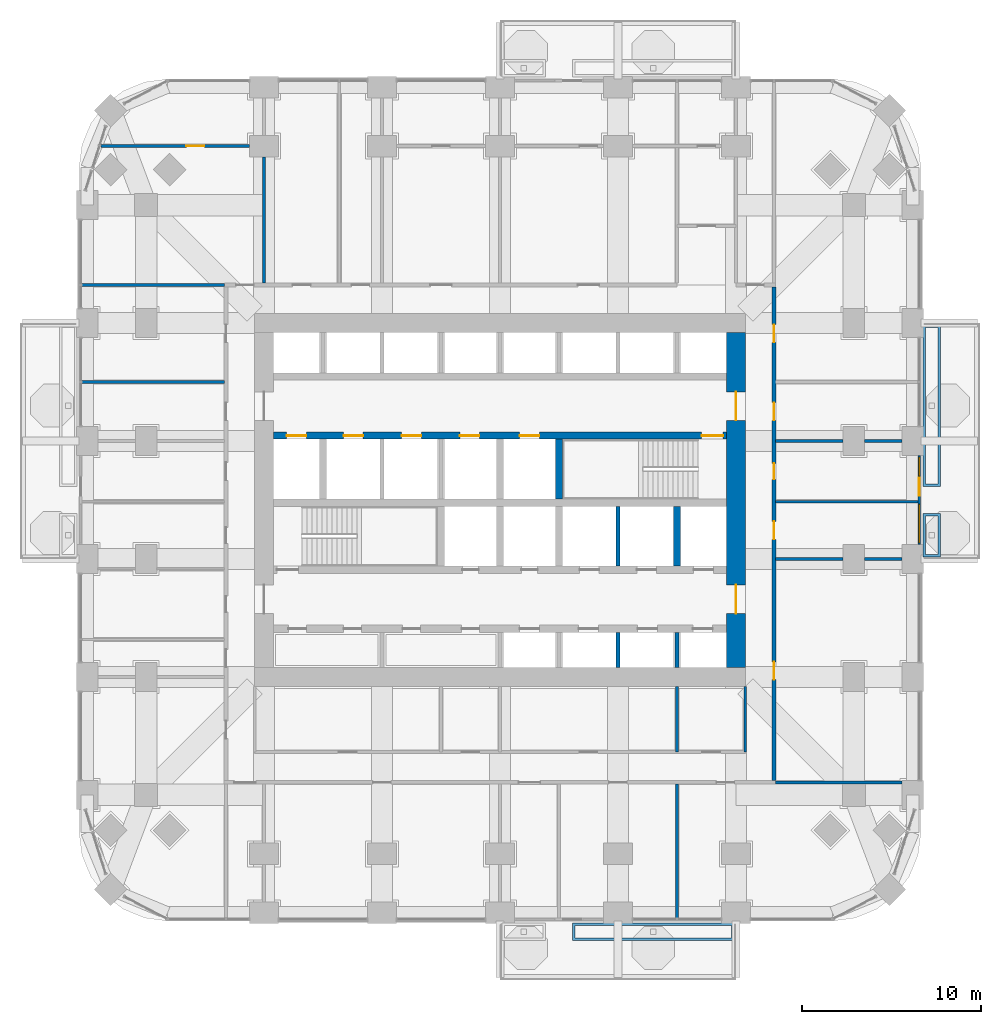
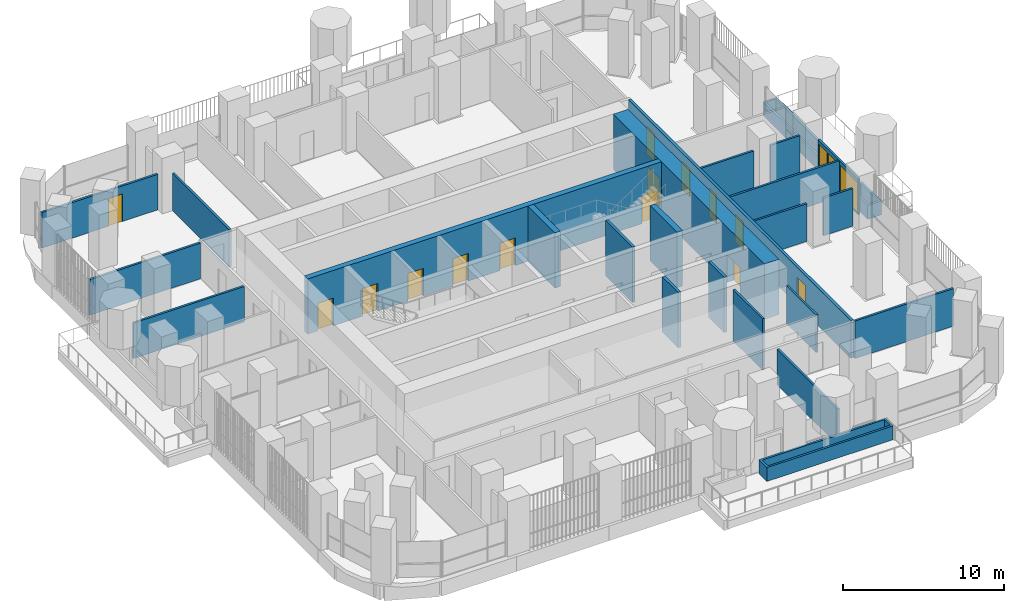
# One storey, part 16 of 23: 25 walls, 15 doors, 2 windows, 17 openings.
"""IFC4 building model written with IfcOpenShell, lengths in metres."""

from ifc_helpers import new_model, si_unit, direction, frame, frame_2d, origin, place, context, subcontext, project, spatial, polyline, rectangle, outline, extrude, material, layer, layer_set, type_object, element, fill, save


model = new_model("IFC4")

# Units and contexts
model_context = context("Model", 3, precision=1e-05, world=origin(), true_north=direction((0.0, 1.0)))
body_context = subcontext(model_context, "Body", "Model", "MODEL_VIEW")
ifc_project = project(units=[si_unit("LENGTHUNIT", "METRE"), si_unit("AREAUNIT", "SQUARE_METRE"), si_unit("VOLUMEUNIT", "CUBIC_METRE"), si_unit("PLANEANGLEUNIT", "RADIAN"), si_unit("MASSUNIT", "GRAM", prefix="KILO")], contexts=[model_context])

# Site, building, storey
site_placement = place(None, origin())
site = spatial("IfcSite", under=ifc_project, at=site_placement, CompositionType="ELEMENT")
building_placement = place(site_placement, origin())
building = spatial("IfcBuilding", under=site, at=building_placement, Name="Cobogo Forest Laboratory Tower", CompositionType="ELEMENT")
storey_placement = place(building_placement, frame((0.0, 0.0, 103.199951171875)))
storey = spatial("IfcBuildingStorey", under=building, at=storey_placement, Name="L23", CompositionType="ELEMENT", Elevation=103.199951171875)

# Wall, openings, doors
ifc_material_1 = material(Name="Concrete HA-50 (C50/60)", Category="concrete")
ifc_layer_1 = layer(ifc_material_1, 0.39990234375)
ifc_layer_set_1 = layer_set([ifc_layer_1], Name="CI400 core inner wall 400")
wall_type_1 = type_object("IfcWallType", Name="CI400 core inner wall 400", PredefinedType="SHEAR", material=ifc_layer_set_1)
wall_1_placement = place(storey_placement, frame((13.72509765625, 26.699951171875, 0.0), z_axis=(0.0, 0.0, 1.0), x_axis=(1.0, 0.0, 0.0)))
wall_1 = element("IfcWall", 1, at=wall_1_placement, inside=storey, type_object=wall_type_1, Name="Core wall CI-26.7 L23", PredefinedType="SHEAR", context=body_context, shape_type="SweptSolid", body=[
    extrude(rectangle(XDim=25.349853515625, YDim=0.39990234375, at=frame_2d((12.6748046875, 0.0))), origin(), (0.0, 0.0, 1.0), 4.199951171875),
])
opening_1_placement = place(wall_1_placement, frame((23.949951171875, 0.0, 0.0)))
opening_1 = element("IfcOpeningElement", 2, at=opening_1_placement, cuts=wall_1, Name="Opening L23-D30", PredefinedType="OPENING", context=body_context, shape_type="SweptSolid", body=[
    extrude(rectangle(XDim=1.199951171875, YDim=2.10009765625, at=frame_2d((0.60009765625, 1.050048828125))), frame((0.0, 0.2099609375, 0.0), z_axis=(0.0, -1.0, 0.0), x_axis=(1.0, 0.0, 0.0)), (0.0, 0.0, 1.0), 0.419921875),
])
opening_2_placement = place(wall_1_placement, frame((0.737548828125, 0.0, 0.0)))
opening_2 = element("IfcOpeningElement", 3, at=opening_2_placement, cuts=wall_1, Name="Opening L23-LD-FL1", PredefinedType="OPENING", context=body_context, shape_type="SweptSolid", body=[
    extrude(rectangle(XDim=1.10009765625, YDim=2.10009765625, at=frame_2d((0.550048828125, 1.050048828125))), frame((0.0, 0.2099609375, 0.0), z_axis=(0.0, -1.0, 0.0), x_axis=(1.0, 0.0, 0.0)), (0.0, 0.0, 1.0), 0.419921875),
])
opening_3_placement = place(wall_1_placement, frame((3.925048828125, 0.0, 0.0)))
opening_3 = element("IfcOpeningElement", 4, at=opening_3_placement, cuts=wall_1, Name="Opening L23-LD-LS3", PredefinedType="OPENING", context=body_context, shape_type="SweptSolid", body=[
    extrude(rectangle(XDim=1.10009765625, YDim=2.10009765625, at=frame_2d((0.550048828125, 1.050048828125))), frame((0.0, 0.2099609375, 0.0), z_axis=(0.0, -1.0, 0.0), x_axis=(1.0, 0.0, 0.0)), (0.0, 0.0, 1.0), 0.419921875),
])
opening_4_placement = place(wall_1_placement, frame((7.175048828125, 0.0, 0.0)))
opening_4 = element("IfcOpeningElement", 5, at=opening_4_placement, cuts=wall_1, Name="Opening L23-LD-LS4", PredefinedType="OPENING", context=body_context, shape_type="SweptSolid", body=[
    extrude(rectangle(XDim=1.10009765625, YDim=2.10009765625, at=frame_2d((0.550048828125, 1.050048828125))), frame((0.0, 0.2099609375, 0.0), z_axis=(0.0, -1.0, 0.0), x_axis=(1.0, 0.0, 0.0)), (0.0, 0.0, 1.0), 0.419921875),
])
opening_5_placement = place(wall_1_placement, frame((10.425048828125, 0.0, 0.0)))
opening_5 = element("IfcOpeningElement", 6, at=opening_5_placement, cuts=wall_1, Name="Opening L23-LD-LS5", PredefinedType="OPENING", context=body_context, shape_type="SweptSolid", body=[
    extrude(rectangle(XDim=1.10009765625, YDim=2.10009765625, at=frame_2d((0.550048828125, 1.050048828125))), frame((0.0, 0.2099609375, 0.0), z_axis=(0.0, -1.0, 0.0), x_axis=(1.0, 0.0, 0.0)), (0.0, 0.0, 1.0), 0.419921875),
])
opening_6_placement = place(wall_1_placement, frame((13.77490234375, 0.0, 0.0)))
opening_6 = element("IfcOpeningElement", 7, at=opening_6_placement, cuts=wall_1, Name="Opening L23-LD-LS6", PredefinedType="OPENING", context=body_context, shape_type="SweptSolid", body=[
    extrude(rectangle(XDim=1.10009765625, YDim=2.10009765625, at=frame_2d((0.550048828125, 1.050048828125))), frame((0.0, 0.2099609375, 0.0), z_axis=(0.0, -1.0, 0.0), x_axis=(1.0, 0.0, 0.0)), (0.0, 0.0, 1.0), 0.419921875),
])
ifc_material_2 = material(Name="Steel fire door", Category="steel")
door_type_1 = type_object("IfcDoorType", Name="DS1 protected stair door 1200 EI2 60", OperationType="SINGLE_SWING_LEFT", PredefinedType="DOOR", material=ifc_material_2)
door_1_placement = place(opening_1_placement, origin())
door_1 = element("IfcDoor", 8, at=door_1_placement, inside=storey, type_object=door_type_1, Name="Door L23-ST2", OperationType="SINGLE_SWING_RIGHT", OverallHeight=2.10009765625, OverallWidth=1.199951171875, PredefinedType="DOOR", context=body_context, shape_type="SweptSolid", body=[
    extrude(rectangle(XDim=1.199951171875, YDim=2.10009765625, at=frame_2d((0.60009765625, 1.050048828125))), frame((0.0, 0.02490234375, 0.0), z_axis=(0.0, -1.0, 0.0), x_axis=(1.0, 0.0, 0.0)), (0.0, 0.0, 1.0), 0.050048828125),
])
fill(opening_1, door_1)
ifc_material_3 = material(Name="Stainless steel lift door", Category="steel")
door_type_2 = type_object("IfcDoorType", Name="LD lift landing door 1100", OperationType="DOUBLE_DOOR_SLIDING", PredefinedType="DOOR", material=ifc_material_3)
door_2_placement = place(opening_2_placement, origin())
door_2 = element("IfcDoor", 9, at=door_2_placement, inside=storey, type_object=door_type_2, Name="Lift landing door FL1 L23", OperationType="DOUBLE_DOOR_SLIDING", OverallHeight=2.10009765625, OverallWidth=1.10009765625, PredefinedType="DOOR", context=body_context, shape_type="SweptSolid", body=[
    extrude(rectangle(XDim=1.10009765625, YDim=2.10009765625, at=frame_2d((0.550048828125, 1.050048828125))), frame((0.0, 0.02490234375, 0.0), z_axis=(0.0, -1.0, 0.0), x_axis=(1.0, 0.0, 0.0)), (0.0, 0.0, 1.0), 0.050048828125),
])
fill(opening_2, door_2)
door_3_placement = place(opening_3_placement, origin())
door_3 = element("IfcDoor", 10, at=door_3_placement, inside=storey, type_object=door_type_2, Name="Lift landing door LS3 L23", OperationType="DOUBLE_DOOR_SLIDING", OverallHeight=2.10009765625, OverallWidth=1.10009765625, PredefinedType="DOOR", context=body_context, shape_type="SweptSolid", body=[
    extrude(rectangle(XDim=1.10009765625, YDim=2.10009765625, at=frame_2d((0.550048828125, 1.050048828125))), frame((0.0, 0.02490234375, 0.0), z_axis=(0.0, -1.0, 0.0), x_axis=(1.0, 0.0, 0.0)), (0.0, 0.0, 1.0), 0.050048828125),
])
fill(opening_3, door_3)
door_4_placement = place(opening_4_placement, origin())
door_4 = element("IfcDoor", 11, at=door_4_placement, inside=storey, type_object=door_type_2, Name="Lift landing door LS4 L23", OperationType="DOUBLE_DOOR_SLIDING", OverallHeight=2.10009765625, OverallWidth=1.10009765625, PredefinedType="DOOR", context=body_context, shape_type="SweptSolid", body=[
    extrude(rectangle(XDim=1.10009765625, YDim=2.10009765625, at=frame_2d((0.550048828125, 1.050048828125))), frame((0.0, 0.02490234375, 0.0), z_axis=(0.0, -1.0, 0.0), x_axis=(1.0, 0.0, 0.0)), (0.0, 0.0, 1.0), 0.050048828125),
])
fill(opening_4, door_4)
door_5_placement = place(opening_5_placement, origin())
door_5 = element("IfcDoor", 12, at=door_5_placement, inside=storey, type_object=door_type_2, Name="Lift landing door LS5 L23", OperationType="DOUBLE_DOOR_SLIDING", OverallHeight=2.10009765625, OverallWidth=1.10009765625, PredefinedType="DOOR", context=body_context, shape_type="SweptSolid", body=[
    extrude(rectangle(XDim=1.10009765625, YDim=2.10009765625, at=frame_2d((0.550048828125, 1.050048828125))), frame((0.0, 0.02490234375, 0.0), z_axis=(0.0, -1.0, 0.0), x_axis=(1.0, 0.0, 0.0)), (0.0, 0.0, 1.0), 0.050048828125),
])
fill(opening_5, door_5)
door_6_placement = place(opening_6_placement, origin())
door_6 = element("IfcDoor", 13, at=door_6_placement, inside=storey, type_object=door_type_2, Name="Lift landing door LS6 L23", OperationType="DOUBLE_DOOR_SLIDING", OverallHeight=2.10009765625, OverallWidth=1.10009765625, PredefinedType="DOOR", context=body_context, shape_type="SweptSolid", body=[
    extrude(rectangle(XDim=1.10009765625, YDim=2.10009765625, at=frame_2d((0.550048828125, 1.050048828125))), frame((0.0, 0.02490234375, 0.0), z_axis=(0.0, -1.0, 0.0), x_axis=(1.0, 0.0, 0.0)), (0.0, 0.0, 1.0), 0.050048828125),
])
fill(opening_6, door_6)

# Walls
for number, where, z_axis, x_axis, name in (
    (14, (36.300048828125, 19.39990234375, 0.0), (0.0, 0.0, 1.0), (0.0, 1.0, 0.0), "Core wall CX-36.3 L23"),
    (15, (29.699951171875, 23.14990234375, 0.0), (0.0, 0.0, 1.0), (0.0, 1.0, 0.0), "Core wall CX-29.7N L23"),
):
    element("IfcWall", number, at=place(storey_placement, frame(where, z_axis=z_axis, x_axis=x_axis)), inside=storey, type_object=wall_type_1, Name=name, PredefinedType="SHEAR", context=body_context, shape_type="SweptSolid", body=[
        extrude(rectangle(XDim=3.35009765625, YDim=0.39990234375, at=frame_2d((1.675048828125, 0.0))), origin(), (0.0, 0.0, 1.0), 4.199951171875),
    ])

# Wall, openings, doors
ifc_layer_2 = layer(ifc_material_1, 1.050048828125)
ifc_layer_set_2 = layer_set([ifc_layer_2], Name="CW1050 core outer wall 1050")
wall_type_2 = type_object("IfcWallType", Name="CW1050 core outer wall 1050", PredefinedType="SHEAR", material=ifc_layer_set_2)
wall_2_placement = place(storey_placement, frame((39.60009765625, 13.72509765625, 0.0), z_axis=(0.0, 0.0, 1.0), x_axis=(0.0, 1.0, 0.0)))
wall_2 = element("IfcWall", 16, at=wall_2_placement, inside=storey, type_object=wall_type_2, Name="Core wall CO-E L23", PredefinedType="SHEAR", context=body_context, shape_type="SweptSolid", body=[
    extrude(rectangle(XDim=18.75, YDim=1.050048828125, at=frame_2d((9.375, 0.0))), origin(), (0.0, 0.0, 1.0), 4.199951171875),
])
opening_7_placement = place(wall_2_placement, frame((3.02490234375, 0.0, 0.0)))
opening_7 = element("IfcOpeningElement", 17, at=opening_7_placement, cuts=wall_2, Name="Opening L23-D20", PredefinedType="OPENING", context=body_context, shape_type="SweptSolid", body=[
    extrude(rectangle(XDim=1.60009765625, YDim=2.10009765625, at=frame_2d((0.800048828125, 1.050048828125))), frame((0.0, 0.534912109375, 0.0), z_axis=(0.0, -1.0, 0.0), x_axis=(1.0, 0.0, 0.0)), (0.0, 0.0, 1.0), 1.070068359375),
])
opening_8_placement = place(wall_2_placement, frame((13.824951171875, 0.0, 0.0)))
opening_8 = element("IfcOpeningElement", 18, at=opening_8_placement, cuts=wall_2, Name="Opening L23-D34", PredefinedType="OPENING", context=body_context, shape_type="SweptSolid", body=[
    extrude(rectangle(XDim=1.60009765625, YDim=2.10009765625, at=frame_2d((0.800048828125, 1.050048828125))), frame((0.0, 0.534912109375, 0.0), z_axis=(0.0, -1.0, 0.0), x_axis=(1.0, 0.0, 0.0)), (0.0, 0.0, 1.0), 1.070068359375),
])
door_type_3 = type_object("IfcDoorType", Name="DS2 protected lobby door pair 1600 EI2 60", OperationType="DOUBLE_DOOR_DOUBLE_SWING", PredefinedType="DOOR", material=ifc_material_2)
door_7_placement = place(opening_7_placement, origin())
door_7 = element("IfcDoor", 19, at=door_7_placement, inside=storey, type_object=door_type_3, Name="Door L23-CO-E-S", OperationType="DOUBLE_DOOR_DOUBLE_SWING", OverallHeight=2.10009765625, OverallWidth=1.60009765625, PredefinedType="DOOR", context=body_context, shape_type="SweptSolid", body=[
    extrude(rectangle(XDim=1.60009765625, YDim=2.10009765625, at=frame_2d((0.800048828125, 1.050048828125))), frame((0.0, 0.02490234375, 0.0), z_axis=(0.0, -1.0, 0.0), x_axis=(1.0, 0.0, 0.0)), (0.0, 0.0, 1.0), 0.050048828125),
])
fill(opening_7, door_7)
door_8_placement = place(opening_8_placement, origin())
door_8 = element("IfcDoor", 20, at=door_8_placement, inside=storey, type_object=door_type_3, Name="Door L23-CO-E-N", OperationType="DOUBLE_DOOR_DOUBLE_SWING", OverallHeight=2.10009765625, OverallWidth=1.60009765625, PredefinedType="DOOR", context=body_context, shape_type="SweptSolid", body=[
    extrude(rectangle(XDim=1.60009765625, YDim=2.10009765625, at=frame_2d((0.800048828125, 1.050048828125))), frame((0.0, 0.02490234375, 0.0), z_axis=(0.0, -1.0, 0.0), x_axis=(1.0, 0.0, 0.0)), (0.0, 0.0, 1.0), 0.050048828125),
])
fill(opening_8, door_8)

# Wall, openings, door, windows
ifc_material_4 = material(Name="Aluminium framed glazed screen", Category="aluminium")
ifc_layer_3 = layer(ifc_material_4, 0.14990234375)
ifc_layer_set_3 = layer_set([ifc_layer_3], Name="GS1 glazed door screen 150")
wall_type_3 = type_object("IfcWallType", Name="GS1 glazed door screen 150", PredefinedType="SOLIDWALL", material=ifc_layer_set_3)
wall_3_placement = place(storey_placement, frame((49.85009765625, 20.60009765625, 0.0), z_axis=(0.0, 0.0, 1.0), x_axis=(0.0, 1.0, 0.0)))
wall_3 = element("IfcWall", 21, at=wall_3_placement, inside=storey, type_object=wall_type_3, Name="Door screen BAL-E1 L23", PredefinedType="SOLIDWALL", context=body_context, shape_type="SweptSolid", body=[
    extrude(rectangle(XDim=5.0, YDim=0.14990234375, at=frame_2d((2.5, 0.0))), origin(), (0.0, 0.0, 1.0), 2.699951171875),
])
opening_9_placement = place(wall_3_placement, frame((2.75, 0.0, 0.0)))
opening_9 = element("IfcOpeningElement", 22, at=opening_9_placement, cuts=wall_3, Name="Opening L23-D27", PredefinedType="OPENING", context=body_context, shape_type="SweptSolid", body=[
    extrude(rectangle(XDim=1.0, YDim=2.39990234375, at=frame_2d((0.5, 1.199951171875))), frame((0.0, 0.0849609375, 0.0), z_axis=(0.0, -1.0, 0.0), x_axis=(1.0, 0.0, 0.0)), (0.0, 0.0, 1.0), 0.169921875),
])
opening_10_placement = place(wall_3_placement, frame((0.10009765625, 0.0, 0.10009765625)))
opening_10 = element("IfcOpeningElement", 23, at=opening_10_placement, cuts=wall_3, Name="Opening L23-W04", PredefinedType="OPENING", context=body_context, shape_type="SweptSolid", body=[
    extrude(rectangle(XDim=2.14990234375, YDim=2.300048828125, at=frame_2d((1.074951171875, 1.14990234375))), frame((0.0, 0.0849609375, 0.0), z_axis=(0.0, -1.0, 0.0), x_axis=(1.0, 0.0, 0.0)), (0.0, 0.0, 1.0), 0.169921875),
])
opening_11_placement = place(wall_3_placement, frame((3.85009765625, 0.0, 0.10009765625)))
opening_11 = element("IfcOpeningElement", 24, at=opening_11_placement, cuts=wall_3, Name="Opening L23-W06", PredefinedType="OPENING", context=body_context, shape_type="SweptSolid", body=[
    extrude(rectangle(XDim=1.050048828125, YDim=2.300048828125, at=frame_2d((0.52490234375, 1.14990234375))), frame((0.0, 0.0849609375, 0.0), z_axis=(0.0, -1.0, 0.0), x_axis=(1.0, 0.0, 0.0)), (0.0, 0.0, 1.0), 0.169921875),
])
ifc_material_5 = material(Name="Aluminium glazed door", Category="aluminium")
door_type_4 = type_object("IfcDoorType", Name="DB1 balcony door 1000 glazed", OperationType="SINGLE_SWING_LEFT", PredefinedType="DOOR", material=ifc_material_5)
door_9_placement = place(opening_9_placement, origin())
door_9 = element("IfcDoor", 25, at=door_9_placement, inside=storey, type_object=door_type_4, Name="Door L23-BAL-E1", OperationType="SINGLE_SWING_RIGHT", OverallHeight=2.39990234375, OverallWidth=1.0, PredefinedType="DOOR", context=body_context, shape_type="SweptSolid", body=[
    extrude(rectangle(XDim=1.0, YDim=2.39990234375, at=frame_2d((0.5, 1.199951171875))), frame((0.0, 0.02490234375, 0.0), z_axis=(0.0, -1.0, 0.0), x_axis=(1.0, 0.0, 0.0)), (0.0, 0.0, 1.0), 0.050048828125),
])
fill(opening_9, door_9)
ifc_material_6 = material(Name="Aluminium framed glazing", Category="aluminium")
window_type_1 = type_object("IfcWindowType", Name="WG13 fixed glazed light 2150x2300", PartitioningType="SINGLE_PANEL", PredefinedType="WINDOW", material=ifc_material_6)
window_1_placement = place(opening_10_placement, origin())
window_1 = element("IfcWindow", 26, at=window_1_placement, inside=storey, type_object=window_type_1, Name="Window L23-BAL-E1-1", OverallHeight=2.300048828125, OverallWidth=2.14990234375, PartitioningType="SINGLE_PANEL", PredefinedType="WINDOW", context=body_context, shape_type="SweptSolid", body=[
    extrude(rectangle(XDim=2.14990234375, YDim=2.300048828125, at=frame_2d((1.074951171875, 1.14990234375))), frame((0.0, 0.030029296875, 0.0), z_axis=(0.0, -1.0, 0.0), x_axis=(1.0, 0.0, 0.0)), (0.0, 0.0, 1.0), 0.06005859375),
])
fill(opening_10, window_1)
window_type_2 = type_object("IfcWindowType", Name="WG14 fixed glazed light 1050x2300", PartitioningType="SINGLE_PANEL", PredefinedType="WINDOW", material=ifc_material_6)
window_2_placement = place(opening_11_placement, origin())
window_2 = element("IfcWindow", 27, at=window_2_placement, inside=storey, type_object=window_type_2, Name="Window L23-BAL-E1-2", OverallHeight=2.300048828125, OverallWidth=1.050048828125, PartitioningType="SINGLE_PANEL", PredefinedType="WINDOW", context=body_context, shape_type="SweptSolid", body=[
    extrude(rectangle(XDim=1.050048828125, YDim=2.300048828125, at=frame_2d((0.52490234375, 1.14990234375))), frame((0.0, 0.030029296875, 0.0), z_axis=(0.0, -1.0, 0.0), x_axis=(1.0, 0.0, 0.0)), (0.0, 0.0, 1.0), 0.06005859375),
])
fill(opening_11, window_2)

# Walls
ifc_material_7 = material(Name="Gypsum board on steel studs", Category="steel")
ifc_layer_4 = layer(ifc_material_7, 0.14990234375)
ifc_layer_set_4 = layer_set([ifc_layer_4], Name="PT1 laboratory partition 150")
wall_type_4 = type_object("IfcWallType", Name="PT1 laboratory partition 150", PredefinedType="PARTITIONING", material=ifc_layer_set_4)
wall_4_placement = place(storey_placement, frame((40.125, 12.675048828125, 0.0), z_axis=(0.0, 0.0, 1.0), x_axis=(0.0, -1.0, 0.0)))
element("IfcWall", 28, at=wall_4_placement, inside=storey, type_object=wall_type_4, Name="Partition CSTRIP-SE L23", PredefinedType="PARTITIONING", context=body_context, shape_type="SweptSolid", body=[
    extrude(rectangle(XDim=3.675048828125, YDim=0.14990234375, at=frame_2d((1.83740234375, 0.0))), origin(), (0.0, 0.0, 1.0), 2.85009765625),
])
wall_5_placement = place(storey_placement, frame((36.300048828125, 12.675048828125, 0.0), z_axis=(0.0, 0.0, 1.0), x_axis=(0.0, -1.0, 0.0)))
element("IfcWall", 29, at=wall_5_placement, inside=storey, type_object=wall_type_4, Name="Partition CSTRIP-S36.3 L23", PredefinedType="PARTITIONING", context=body_context, shape_type="SweptSolid", body=[
    extrude(rectangle(XDim=3.675048828125, YDim=0.14990234375, at=frame_2d((1.83740234375, 0.0))), origin(), (0.0, 0.0, 1.0), 3.900146484375),
])
wall_6_placement = place(storey_placement, frame((48.89990234375, 7.300048828125, 0.0), z_axis=(0.0, 0.0, 1.0), x_axis=(-1.0, 0.0, 0.0)))
element("IfcWall", 30, at=wall_6_placement, inside=storey, type_object=wall_type_4, Name="Partition PW-SE L23", PredefinedType="PARTITIONING", context=body_context, shape_type="SweptSolid", body=[
    extrude(rectangle(XDim=7.074951171875, YDim=0.14990234375, at=frame_2d((3.53759765625, 0.0))), origin(), (0.0, 0.0, 1.0), 2.85009765625),
])
wall_7_placement = place(storey_placement, frame((3.030029296875, 35.125, 0.0), z_axis=(0.0, 0.0, 1.0), x_axis=(1.0, 0.0, 0.0)))
element("IfcWall", 31, at=wall_7_placement, inside=storey, type_object=wall_type_4, Name="Partition PW-NW L23", PredefinedType="PARTITIONING", context=body_context, shape_type="SweptSolid", body=[
    extrude(rectangle(XDim=7.945068359375, YDim=0.14990234375, at=frame_2d((3.97265625, 0.0))), origin(), (0.0, 0.0, 1.0), 2.699951171875),
])
wall_8_placement = place(storey_placement, frame((36.300048828125, -0.27001953125, 0.0), z_axis=(0.0, 0.0, 1.0), x_axis=(0.0, 1.0, 0.0)))
element("IfcWall", 32, at=wall_8_placement, inside=storey, type_object=wall_type_4, Name="Partition CUT-S36.3-1 L23", PredefinedType="PARTITIONING", context=body_context, shape_type="SweptSolid", body=[
    extrude(rectangle(XDim=7.469970703125, YDim=0.14990234375, at=frame_2d((3.73486328125, 0.0))), origin(), (0.0, 0.0, 1.0), 2.699951171875),
])
wall_9_placement = place(storey_placement, frame((49.77001953125, 23.0, 0.0), z_axis=(0.0, 0.0, 1.0), x_axis=(-1.0, 0.0, 0.0)))
element("IfcWall", 33, at=wall_9_placement, inside=storey, type_object=wall_type_4, Name="Partition SVC-E1-1 L23", PredefinedType="PARTITIONING", context=body_context, shape_type="SweptSolid", body=[
    extrude(rectangle(XDim=7.945068359375, YDim=0.14990234375, at=frame_2d((3.97265625, 0.0))), origin(), (0.0, 0.0, 1.0), 2.699951171875),
])
wall_10_placement = place(storey_placement, frame((48.89990234375, 26.39990234375, 0.0), z_axis=(0.0, 0.0, 1.0), x_axis=(-1.0, 0.0, 0.0)))
element("IfcWall", 34, at=wall_10_placement, inside=storey, type_object=wall_type_4, Name="Partition SVC-E2-1 L23", PredefinedType="PARTITIONING", context=body_context, shape_type="SweptSolid", body=[
    extrude(rectangle(XDim=2.099853515625, YDim=0.14990234375, at=frame_2d((1.0498046875, 0.0))), origin(), (0.0, 0.0, 1.0), 2.85009765625),
])
wall_11_placement = place(storey_placement, frame((45.60009765625, 26.39990234375, 0.0), z_axis=(0.0, 0.0, 1.0), x_axis=(-1.0, 0.0, 0.0)))
element("IfcWall", 35, at=wall_11_placement, inside=storey, type_object=wall_type_4, Name="Partition SVC-E2-2 L23", PredefinedType="PARTITIONING", context=body_context, shape_type="SweptSolid", body=[
    extrude(rectangle(XDim=3.775146484375, YDim=0.14990234375, at=frame_2d((1.8876953125, 0.0))), origin(), (0.0, 0.0, 1.0), 2.85009765625),
])
wall_12_placement = place(storey_placement, frame((48.89990234375, 19.800048828125, 0.0), z_axis=(0.0, 0.0, 1.0), x_axis=(-1.0, 0.0, 0.0)))
element("IfcWall", 36, at=wall_12_placement, inside=storey, type_object=wall_type_4, Name="Partition CUT-E19.8-1 L23", PredefinedType="PARTITIONING", context=body_context, shape_type="SweptSolid", body=[
    extrude(rectangle(XDim=2.099853515625, YDim=0.14990234375, at=frame_2d((1.0498046875, 0.0))), origin(), (0.0, 0.0, 1.0), 2.85009765625),
])
wall_13_placement = place(storey_placement, frame((45.60009765625, 19.800048828125, 0.0), z_axis=(0.0, 0.0, 1.0), x_axis=(-1.0, 0.0, 0.0)))
element("IfcWall", 37, at=wall_13_placement, inside=storey, type_object=wall_type_4, Name="Partition CUT-E19.8-2 L23", PredefinedType="PARTITIONING", context=body_context, shape_type="SweptSolid", body=[
    extrude(rectangle(XDim=3.775146484375, YDim=0.14990234375, at=frame_2d((1.8876953125, 0.0))), origin(), (0.0, 0.0, 1.0), 2.85009765625),
])

# Wall, opening, door
wall_14_placement = place(storey_placement, frame((12.39990234375, 42.89990234375, 0.0), z_axis=(0.0, 0.0, 1.0), x_axis=(-1.0, 0.0, 0.0)))
wall_14 = element("IfcWall", 38, at=wall_14_placement, inside=storey, type_object=wall_type_4, Name="Partition STRIP-N-4 L23", PredefinedType="PARTITIONING", context=body_context, shape_type="SweptSolid", body=[
    extrude(rectangle(XDim=8.323974609375, YDim=0.14990234375, at=frame_2d((4.162109375, 0.0))), origin(), (0.0, 0.0, 1.0), 2.699951171875),
])
opening_12_placement = place(wall_14_placement, frame((2.5419921875, 0.0, 0.0)))
opening_12 = element("IfcOpeningElement", 39, at=opening_12_placement, cuts=wall_14, Name="Opening L23-D44", PredefinedType="OPENING", context=body_context, shape_type="SweptSolid", body=[
    extrude(rectangle(XDim=1.0, YDim=2.10009765625, at=frame_2d((0.5, 1.050048828125))), frame((0.0, 0.0849609375, 0.0), z_axis=(0.0, -1.0, 0.0), x_axis=(1.0, 0.0, 0.0)), (0.0, 0.0, 1.0), 0.169921875),
])
ifc_material_8 = material(Name="Timber fire door", Category="wood")
door_type_5 = type_object("IfcDoorType", Name="FD2 fire door 1000 EI2 30", OperationType="SINGLE_SWING_LEFT", PredefinedType="DOOR", material=ifc_material_8)
door_10_placement = place(opening_12_placement, origin())
door_10 = element("IfcDoor", 40, at=door_10_placement, inside=storey, type_object=door_type_5, Name="Door L23-N1W", OperationType="SINGLE_SWING_LEFT", OverallHeight=2.10009765625, OverallWidth=1.0, PredefinedType="DOOR", context=body_context, shape_type="SweptSolid", body=[
    extrude(rectangle(XDim=1.0, YDim=2.10009765625, at=frame_2d((0.5, 1.050048828125))), frame((0.0, 0.02490234375, 0.0), z_axis=(0.0, -1.0, 0.0), x_axis=(1.0, 0.0, 0.0)), (0.0, 0.0, 1.0), 0.050048828125),
])
fill(opening_12, door_10)

# Walls
wall_15_placement = place(storey_placement, frame((13.199951171875, 42.300048828125, 0.0), z_axis=(0.0, 0.0, 1.0), x_axis=(0.0, -1.0, 0.0)))
element("IfcWall", 41, at=wall_15_placement, inside=storey, type_object=wall_type_4, Name="Partition CUT-N13.2-2 L23", PredefinedType="PARTITIONING", context=body_context, shape_type="SweptSolid", body=[
    extrude(rectangle(XDim=7.074951171875, YDim=0.14990234375, at=frame_2d((3.53759765625, 0.0))), origin(), (0.0, 0.0, 1.0), 2.85009765625),
])
wall_16_placement = place(storey_placement, frame((3.030029296875, 29.699951171875, 0.0), z_axis=(0.0, 0.0, 1.0), x_axis=(1.0, 0.0, 0.0)))
element("IfcWall", 42, at=wall_16_placement, inside=storey, type_object=wall_type_4, Name="Partition CUT-W29.7-1 L23", PredefinedType="PARTITIONING", context=body_context, shape_type="SweptSolid", body=[
    extrude(rectangle(XDim=7.945068359375, YDim=0.14990234375, at=frame_2d((3.97265625, 0.0))), origin(), (0.0, 0.0, 1.0), 2.699951171875),
])

# Wall, openings, doors
ifc_layer_5 = layer(ifc_material_7, 0.199951171875)
ifc_layer_set_5 = layer_set([ifc_layer_5], Name="PT2 fire-rated corridor partition 200")
wall_type_5 = type_object("IfcWallType", Name="PT2 fire-rated corridor partition 200", PredefinedType="PARTITIONING", material=ifc_layer_set_5)
wall_17_placement = place(storey_placement, frame((41.72509765625, 7.39990234375, 0.0), z_axis=(0.0, 0.0, 1.0), x_axis=(0.0, 1.0, 0.0)))
wall_17 = element("IfcWall", 43, at=wall_17_placement, inside=storey, type_object=wall_type_5, Name="Partition CORR-E L23", PredefinedType="PARTITIONING", context=body_context, shape_type="SweptSolid", body=[
    extrude(rectangle(XDim=27.625, YDim=0.199951171875, at=frame_2d((13.8125, 0.0))), origin(), (0.0, 0.0, 1.0), 2.85009765625),
])
opening_13_placement = place(wall_17_placement, frame((5.64990234375, 0.0, 0.0)))
opening_13 = element("IfcOpeningElement", 44, at=opening_13_placement, cuts=wall_17, Name="Opening L23-D12", PredefinedType="OPENING", context=body_context, shape_type="SweptSolid", body=[
    extrude(rectangle(XDim=1.0, YDim=2.10009765625, at=frame_2d((0.5, 1.050048828125))), frame((0.0, 0.10986328125, 0.0), z_axis=(0.0, -1.0, 0.0), x_axis=(1.0, 0.0, 0.0)), (0.0, 0.0, 1.0), 0.219970703125),
])
opening_14_placement = place(wall_17_placement, frame((13.5, 0.0, 0.0)))
opening_14 = element("IfcOpeningElement", 45, at=opening_14_placement, cuts=wall_17, Name="Opening L23-D25", PredefinedType="OPENING", context=body_context, shape_type="SweptSolid", body=[
    extrude(rectangle(XDim=1.0, YDim=2.10009765625, at=frame_2d((0.5, 1.050048828125))), frame((0.0, 0.10986328125, 0.0), z_axis=(0.0, -1.0, 0.0), x_axis=(1.0, 0.0, 0.0)), (0.0, 0.0, 1.0), 0.219970703125),
])
opening_15_placement = place(wall_17_placement, frame((16.85009765625, 0.0, 0.0)))
opening_15 = element("IfcOpeningElement", 46, at=opening_15_placement, cuts=wall_17, Name="Opening L23-D29", PredefinedType="OPENING", context=body_context, shape_type="SweptSolid", body=[
    extrude(rectangle(XDim=0.89990234375, YDim=2.10009765625, at=frame_2d((0.449951171875, 1.050048828125))), frame((0.0, 0.10986328125, 0.0), z_axis=(0.0, -1.0, 0.0), x_axis=(1.0, 0.0, 0.0)), (0.0, 0.0, 1.0), 0.219970703125),
])
opening_16_placement = place(wall_17_placement, frame((20.14990234375, 0.0, 0.0)))
opening_16 = element("IfcOpeningElement", 47, at=opening_16_placement, cuts=wall_17, Name="Opening L23-D32", PredefinedType="OPENING", context=body_context, shape_type="SweptSolid", body=[
    extrude(rectangle(XDim=1.0, YDim=2.10009765625, at=frame_2d((0.5, 1.050048828125))), frame((0.0, 0.10986328125, 0.0), z_axis=(0.0, -1.0, 0.0), x_axis=(1.0, 0.0, 0.0)), (0.0, 0.0, 1.0), 0.219970703125),
])
opening_17_placement = place(wall_17_placement, frame((24.512451171875, 0.0, 0.0)))
opening_17 = element("IfcOpeningElement", 48, at=opening_17_placement, cuts=wall_17, Name="Opening L23-D36", PredefinedType="OPENING", context=body_context, shape_type="SweptSolid", body=[
    extrude(rectangle(XDim=1.0, YDim=2.10009765625, at=frame_2d((0.5, 1.050048828125))), frame((0.0, 0.10986328125, 0.0), z_axis=(0.0, -1.0, 0.0), x_axis=(1.0, 0.0, 0.0)), (0.0, 0.0, 1.0), 0.219970703125),
])
door_type_6 = type_object("IfcDoorType", Name="FD1 fire door 1000 EI2 60", OperationType="SINGLE_SWING_LEFT", PredefinedType="DOOR", material=ifc_material_2)
door_11_placement = place(opening_14_placement, origin())
door_11 = element("IfcDoor", 49, at=door_11_placement, inside=storey, type_object=door_type_6, Name="Door L23-ELEC", OperationType="SINGLE_SWING_RIGHT", OverallHeight=2.10009765625, OverallWidth=1.0, PredefinedType="DOOR", context=body_context, shape_type="SweptSolid", body=[
    extrude(rectangle(XDim=1.0, YDim=2.10009765625, at=frame_2d((0.5, 1.050048828125))), frame((0.0, 0.02490234375, 0.0), z_axis=(0.0, -1.0, 0.0), x_axis=(1.0, 0.0, 0.0)), (0.0, 0.0, 1.0), 0.050048828125),
])
fill(opening_14, door_11)
door_12_placement = place(opening_13_placement, origin())
door_12 = element("IfcDoor", 50, at=door_12_placement, inside=storey, type_object=door_type_5, Name="Door L23-E1", OperationType="SINGLE_SWING_LEFT", OverallHeight=2.10009765625, OverallWidth=1.0, PredefinedType="DOOR", context=body_context, shape_type="SweptSolid", body=[
    extrude(rectangle(XDim=1.0, YDim=2.10009765625, at=frame_2d((0.5, 1.050048828125))), frame((0.0, 0.02490234375, 0.0), z_axis=(0.0, -1.0, 0.0), x_axis=(1.0, 0.0, 0.0)), (0.0, 0.0, 1.0), 0.050048828125),
])
fill(opening_13, door_12)
door_13_placement = place(opening_16_placement, origin())
door_13 = element("IfcDoor", 51, at=door_13_placement, inside=storey, type_object=door_type_5, Name="Door L23-E2", OperationType="SINGLE_SWING_RIGHT", OverallHeight=2.10009765625, OverallWidth=1.0, PredefinedType="DOOR", context=body_context, shape_type="SweptSolid", body=[
    extrude(rectangle(XDim=1.0, YDim=2.10009765625, at=frame_2d((0.5, 1.050048828125))), frame((0.0, 0.02490234375, 0.0), z_axis=(0.0, -1.0, 0.0), x_axis=(1.0, 0.0, 0.0)), (0.0, 0.0, 1.0), 0.050048828125),
])
fill(opening_16, door_13)
door_14_placement = place(opening_17_placement, origin())
door_14 = element("IfcDoor", 52, at=door_14_placement, inside=storey, type_object=door_type_5, Name="Door L23-E3", OperationType="SINGLE_SWING_RIGHT", OverallHeight=2.10009765625, OverallWidth=1.0, PredefinedType="DOOR", context=body_context, shape_type="SweptSolid", body=[
    extrude(rectangle(XDim=1.0, YDim=2.10009765625, at=frame_2d((0.5, 1.050048828125))), frame((0.0, 0.02490234375, 0.0), z_axis=(0.0, -1.0, 0.0), x_axis=(1.0, 0.0, 0.0)), (0.0, 0.0, 1.0), 0.050048828125),
])
fill(opening_17, door_14)
door_type_7 = type_object("IfcDoorType", Name="FD4 riser access door 900 EI2 60", OperationType="SINGLE_SWING_LEFT", PredefinedType="DOOR", material=ifc_material_2)
door_15_placement = place(opening_15_placement, origin())
door_15 = element("IfcDoor", 53, at=door_15_placement, inside=storey, type_object=door_type_7, Name="Door L23-COMMS", OperationType="SINGLE_SWING_RIGHT", OverallHeight=2.10009765625, OverallWidth=0.89990234375, PredefinedType="DOOR", context=body_context, shape_type="SweptSolid", body=[
    extrude(rectangle(XDim=0.89990234375, YDim=2.10009765625, at=frame_2d((0.449951171875, 1.050048828125))), frame((0.0, 0.02490234375, 0.0), z_axis=(0.0, -1.0, 0.0), x_axis=(1.0, 0.0, 0.0)), (0.0, 0.0, 1.0), 0.050048828125),
])
fill(opening_15, door_15)

# Walls
ifc_material_9 = material(Name="Concrete HA-40 (C40/50)", Category="concrete")
ifc_layer_6 = layer(ifc_material_9, 0.14990234375)
ifc_layer_set_6 = layer_set([ifc_layer_6], Name="Planter box 1000x1050")
wall_type_6 = type_object("IfcWallType", Name="Planter box 1000x1050", PredefinedType="USERDEFINED", material=ifc_layer_set_6)
wall_18_placement = place(storey_placement, origin())
element("IfcWall", 54, at=wall_18_placement, inside=storey, type_object=wall_type_6, Name="Planter BAL-S1-2 L23", ObjectType="PLANTER", PredefinedType="USERDEFINED", context=body_context, shape_type="SweptSolid", body=[
    extrude(outline(polyline([(30.449951171875, -1.550048828125), (39.5, -1.550048828125), (39.5, -0.550048828125), (30.449951171875, -0.550048828125), (30.449951171875, -1.550048828125)]), holes=[polyline([(30.60009765625, -1.39990234375), (39.35009765625, -1.39990234375), (39.35009765625, -0.699951171875), (30.60009765625, -0.699951171875), (30.60009765625, -1.39990234375)])]), origin(), (0.0, 0.0, 1.0), 1.050048828125),
])
wall_19_placement = place(storey_placement, origin())
element("IfcWall", 55, at=wall_19_placement, inside=storey, type_object=wall_type_6, Name="Planter BAL-E1-1 L23", ObjectType="PLANTER", PredefinedType="USERDEFINED", context=body_context, shape_type="SweptSolid", body=[
    extrude(outline(polyline([(50.050048828125, 19.89990234375), (51.050048828125, 19.89990234375), (51.050048828125, 22.35009765625), (50.050048828125, 22.35009765625), (50.050048828125, 19.89990234375)]), holes=[polyline([(50.199951171875, 20.050048828125), (50.89990234375, 20.050048828125), (50.89990234375, 22.199951171875), (50.199951171875, 22.199951171875), (50.199951171875, 20.050048828125)])]), origin(), (0.0, 0.0, 1.0), 1.050048828125),
])
wall_20_placement = place(storey_placement, origin())
element("IfcWall", 56, at=wall_20_placement, inside=storey, type_object=wall_type_6, Name="Planter BAL-E1-2 L23", ObjectType="PLANTER", PredefinedType="USERDEFINED", context=body_context, shape_type="SweptSolid", body=[
    extrude(outline(polyline([(50.050048828125, 23.85009765625), (51.050048828125, 23.85009765625), (51.050048828125, 32.89990234375), (50.050048828125, 32.89990234375), (50.050048828125, 23.85009765625)]), holes=[polyline([(50.199951171875, 24.0), (50.89990234375, 24.0), (50.89990234375, 32.75), (50.199951171875, 32.75), (50.199951171875, 24.0)])]), origin(), (0.0, 0.0, 1.0), 1.050048828125),
])
ifc_material_10 = material(Name="Concrete block", Category="concrete")
ifc_layer_7 = layer(ifc_material_10, 0.199951171875)
ifc_layer_set_7 = layer_set([ifc_layer_7], Name="SW200 lift shaft separator 200")
wall_type_7 = type_object("IfcWallType", Name="SW200 lift shaft separator 200", PredefinedType="PARTITIONING", material=ifc_layer_set_7)
for number, where, z_axis, x_axis, name in (
    (57, (33.0, 13.72509765625, 0.0), (0.0, 0.0, 1.0), (0.0, 1.0, 0.0), "Core wall SEP-S6 L23"),
    (58, (36.300048828125, 13.72509765625, 0.0), (0.0, 0.0, 1.0), (0.0, 1.0, 0.0), "Core wall SEP-S7 L23"),
):
    element("IfcWall", number, at=place(storey_placement, frame(where, z_axis=z_axis, x_axis=x_axis)), inside=storey, type_object=wall_type_7, Name=name, PredefinedType="PARTITIONING", context=body_context, shape_type="SweptSolid", body=[
        extrude(rectangle(XDim=1.974853515625, YDim=0.199951171875, at=frame_2d((0.9873046875, 0.0))), origin(), (0.0, 0.0, 1.0), 4.199951171875),
    ])
wall_21_placement = place(storey_placement, frame((33.0, 19.39990234375, 0.0), z_axis=(0.0, 0.0, 1.0), x_axis=(0.0, 1.0, 0.0)))
element("IfcWall", 59, at=wall_21_placement, inside=storey, type_object=wall_type_7, Name="Core wall SEP-M33.0 L23", PredefinedType="PARTITIONING", context=body_context, shape_type="SweptSolid", body=[
    extrude(rectangle(XDim=3.35009765625, YDim=0.199951171875, at=frame_2d((1.675048828125, 0.0))), origin(), (0.0, 0.0, 1.0), 4.199951171875),
])

save(model, "model.ifc")
